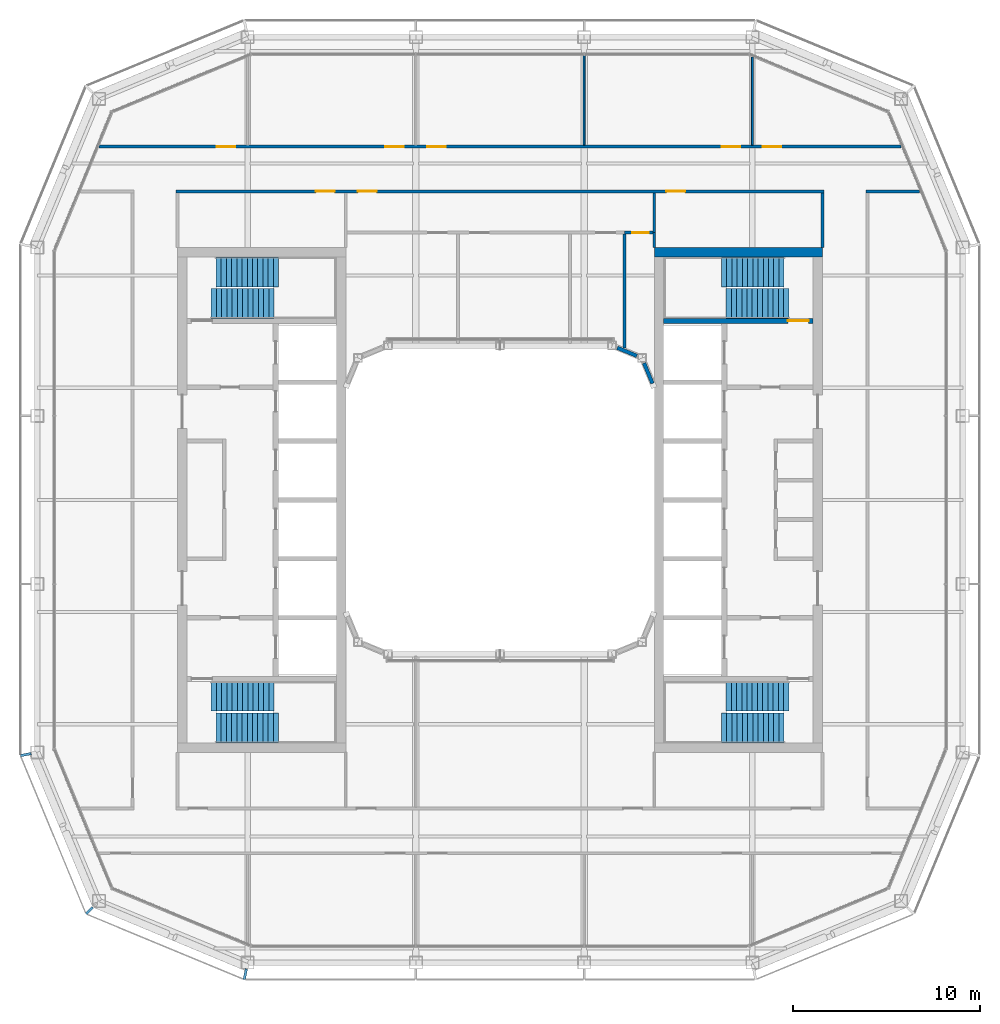
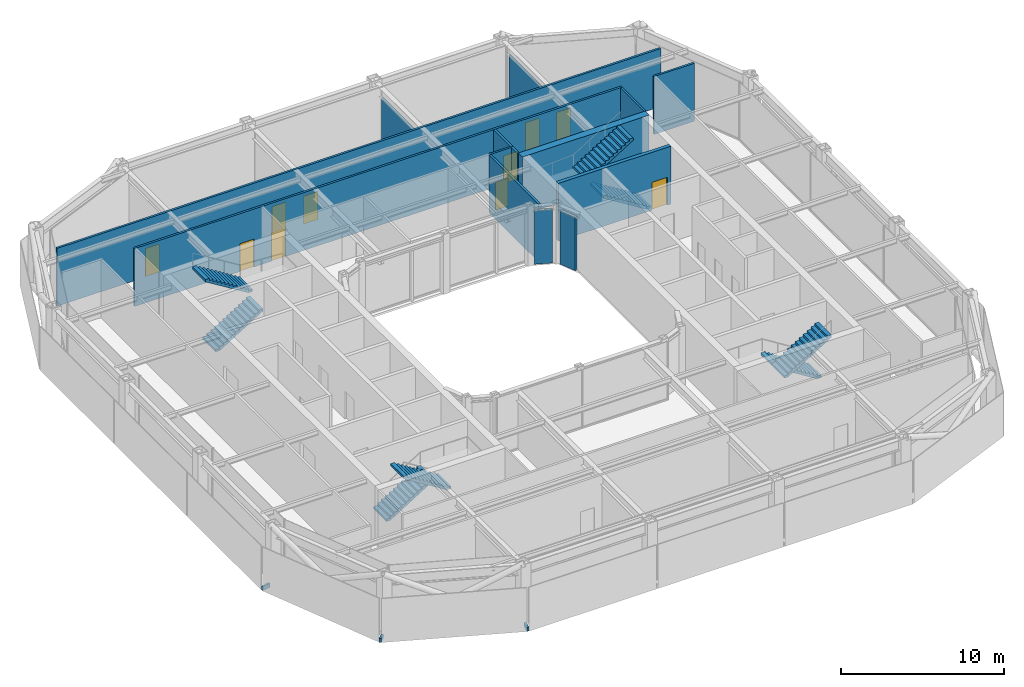
# One storey, part 13 of 18: 14 walls, 10 doors, 8 stair flights, 3 discrete accessories, 10 openings, 4 elements without a shape of their own.
"""IFC4 building model written with IfcOpenShell, lengths in metres."""

from ifc_helpers import new_model, si_unit, direction, frame, frame_2d, origin, origin_2d, place, context, subcontext, project, spatial, polyline, rectangle, outline, extrude, material, layer, layer_set, type_object, element, fill, aggregate, save


model = new_model("IFC4")

# Units and contexts
model_context = context("Model", 3, precision=1e-05, world=origin(), true_north=direction((0.0, 1.0)))
body_context = subcontext(model_context, "Body", "Model", "MODEL_VIEW")
ifc_project = project(units=[si_unit("LENGTHUNIT", "METRE"), si_unit("AREAUNIT", "SQUARE_METRE"), si_unit("VOLUMEUNIT", "CUBIC_METRE"), si_unit("PLANEANGLEUNIT", "RADIAN"), si_unit("MASSUNIT", "GRAM", prefix="KILO")], contexts=[model_context])

# Site, building, storey
site_placement = place(None, origin())
site = spatial("IfcSite", under=ifc_project, at=site_placement, CompositionType="ELEMENT")
building_placement = place(site_placement, origin())
building = spatial("IfcBuilding", under=site, at=building_placement, Name="Siwar Civic Tower", CompositionType="ELEMENT")
storey_placement = place(building_placement, frame((0.0, 0.0, 321.199951171875)))
storey = spatial("IfcBuildingStorey", under=building, at=storey_placement, Name="L69", CompositionType="ELEMENT", Elevation=321.199951171875)

# Wall, opening, door
ifc_material_1 = material(Name="Gypsum board on steel studs", Category="steel")
ifc_layer_1 = layer(ifc_material_1, 0.14990234375)
ifc_layer_set_1 = layer_set([ifc_layer_1], Name="Gypsum board on steel studs")
wall_type_1 = type_object("IfcWallType", Name="COMPARTMENT PARTITION 150 EI 60", PredefinedType="PARTITIONING", material=ifc_layer_set_1)
wall_1_placement = place(storey_placement, frame((6.659912109375, 14.300048828125, 0.0), z_axis=(0.0, 0.0, 1.0), x_axis=(1.0, 0.0, 0.0)))
wall_1 = element("IfcWall", 1, at=wall_1_placement, inside=storey, type_object=wall_type_1, Name="L69/wall/P06", PredefinedType="PARTITIONING", context=body_context, shape_type="SweptSolid", body=[
    extrude(rectangle(XDim=1.51513671875, YDim=0.14990234375, at=frame_2d((0.757568359375, 0.0))), origin(), (0.0, 0.0, 1.0), 4.35009765625),
])
opening_1_placement = place(wall_1_placement, frame((0.39990234375, 0.0, 0.0)))
opening_1 = element("IfcOpeningElement", 2, at=opening_1_placement, cuts=wall_1, Name="Opening D4", PredefinedType="OPENING", context=body_context, shape_type="SweptSolid", body=[
    extrude(rectangle(XDim=0.89990234375, YDim=2.10009765625, at=frame_2d((0.449951171875, 1.050048828125))), frame((0.0, 0.0849609375, 0.0), z_axis=(0.0, -1.0, 0.0), x_axis=(1.0, 0.0, 0.0)), (0.0, 0.0, 1.0), 0.169921875),
])
ifc_material_2 = material(Name="Timber, painted", Category="wood")
door_type_1 = type_object("IfcDoorType", Name="DOOR 900 X 2100 FD60", OperationType="SINGLE_SWING_LEFT", PredefinedType="DOOR", material=ifc_material_2)
door_1_placement = place(opening_1_placement, origin())
door_1 = element("IfcDoor", 3, at=door_1_placement, inside=storey, type_object=door_type_1, Name="L69-D15", OperationType="SINGLE_SWING_LEFT", OverallHeight=2.10009765625, OverallWidth=0.89990234375, PredefinedType="DOOR", context=body_context, shape_type="SweptSolid", body=[
    extrude(rectangle(XDim=0.89990234375, YDim=2.10009765625, at=frame_2d((0.449951171875, 1.050048828125))), frame((0.0, 0.02490234375, 0.0), z_axis=(0.0, -1.0, 0.0), x_axis=(1.0, 0.0, 0.0)), (0.0, 0.0, 1.0), 0.050048828125),
])
fill(opening_1, door_1)

# Walls
wall_2_placement = place(storey_placement, frame((6.659912109375, 8.126953125, 0.0), z_axis=(0.0, 0.0, 1.0), x_axis=(0.0, 1.0, 0.0)))
element("IfcWall", 4, at=wall_2_placement, inside=storey, type_object=wall_type_1, Name="L69/wall/P25", PredefinedType="PARTITIONING", context=body_context, shape_type="SweptSolid", body=[
    extrude(rectangle(XDim=6.09814453125, YDim=0.14990234375, at=frame_2d((3.049072265625, 0.0))), origin(), (0.0, 0.0, 1.0), 4.35009765625),
])
wall_3_placement = place(storey_placement, frame((8.25, 13.5, 0.0), z_axis=(0.0, 0.0, 1.0), x_axis=(0.0, 1.0, 0.0)))
element("IfcWall", 5, at=wall_3_placement, inside=storey, type_object=wall_type_1, Name="L69/wall/P28", PredefinedType="PARTITIONING", context=body_context, shape_type="SweptSolid", body=[
    extrude(rectangle(XDim=0.800048828125, YDim=0.14990234375, at=frame_2d((0.39990234375, 0.0))), origin(), (0.0, 0.0, 1.0), 4.35009765625),
])

# Wall, opening, door
ifc_material_3 = material(Name="Concrete C60/75", Category="concrete")
ifc_layer_2 = layer(ifc_material_3, 0.25)
ifc_layer_set_2 = layer_set([ifc_layer_2], Name="Concrete C60/75")
wall_type_2 = type_object("IfcWallType", Name="CORE-WALL-RC250", PredefinedType="SHEAR", material=ifc_layer_set_2)
wall_4_placement = place(storey_placement, frame((8.75, 9.574951171875, 0.0), z_axis=(0.0, 0.0, 1.0), x_axis=(1.0, 0.0, 0.0)))
wall_4 = element("IfcWall", 6, at=wall_4_placement, inside=storey, type_object=wall_type_2, Name="Core wall E", PredefinedType="SHEAR", context=body_context, shape_type="SweptSolid", body=[
    extrude(rectangle(XDim=8.0, YDim=0.25, at=frame_2d((4.0, 0.0))), origin(), (0.0, 0.0, 1.0), 4.35009765625),
])
opening_2_placement = place(wall_4_placement, frame((6.64990234375, 0.0, 0.0)))
opening_2 = element("IfcOpeningElement", 7, at=opening_2_placement, cuts=wall_4, Name="Opening L69-CE03", PredefinedType="OPENING", context=body_context, shape_type="SweptSolid", body=[
    extrude(rectangle(XDim=1.10009765625, YDim=2.10009765625, at=frame_2d((0.550048828125, 1.050048828125))), frame((0.0, 0.135009765625, 0.0), z_axis=(0.0, -1.0, 0.0), x_axis=(1.0, 0.0, 0.0)), (0.0, 0.0, 1.0), 0.27001953125),
])
ifc_material_4 = material(Name="Steel door leaf", Category="steel")
door_type_2 = type_object("IfcDoorType", Name="CORE-DOOR-FD60S", OperationType="SINGLE_SWING_LEFT", PredefinedType="DOOR", material=ifc_material_4)
door_2_placement = place(opening_2_placement, origin())
door_2 = element("IfcDoor", 8, at=door_2_placement, inside=storey, type_object=door_type_2, Name="Stair door L69-CE03", OperationType="SINGLE_SWING_LEFT", OverallHeight=2.10009765625, OverallWidth=1.10009765625, PredefinedType="DOOR", context=body_context, shape_type="SweptSolid", body=[
    extrude(rectangle(XDim=1.10009765625, YDim=2.10009765625, at=frame_2d((0.550048828125, 1.050048828125))), frame((0.0, 0.02490234375, 0.0), z_axis=(0.0, -1.0, 0.0), x_axis=(1.0, 0.0, 0.0)), (0.0, 0.0, 1.0), 0.050048828125),
])
fill(opening_2, door_2)

# Wall
ifc_material_5 = material(Name="Concrete C60/75", Category="concrete")
ifc_layer_3 = layer(ifc_material_5, 0.5)
ifc_layer_set_3 = layer_set([ifc_layer_3], Name="Concrete C60/75")
wall_type_3 = type_object("IfcWallType", Name="CORE-WALL-RC500", PredefinedType="SHEAR", material=ifc_layer_set_3)
wall_5_placement = place(storey_placement, frame((8.25, 13.25, 0.0), z_axis=(0.0, 0.0, 1.0), x_axis=(1.0, 0.0, 0.0)))
element("IfcWall", 9, at=wall_5_placement, inside=storey, type_object=wall_type_3, Name="Core wall E", PredefinedType="SHEAR", context=body_context, shape_type="SweptSolid", body=[
    extrude(rectangle(XDim=9.0, YDim=0.5, at=frame_2d((4.5, 0.0))), origin(), (0.0, 0.0, 1.0), 4.35009765625),
])

# Wall, openings, doors
ifc_material_6 = material(Name="Gypsum board on steel studs", Category="steel")
ifc_layer_4 = layer(ifc_material_6, 0.14990234375)
ifc_layer_set_4 = layer_set([ifc_layer_4], Name="Gypsum board on steel studs")
wall_type_4 = type_object("IfcWallType", Name="CORRIDOR PARTITION 150 EI 30", PredefinedType="PARTITIONING", material=ifc_layer_set_4)
wall_6_placement = place(storey_placement, frame((-17.324951171875, 16.5, 0.0), z_axis=(0.0, 0.0, 1.0), x_axis=(1.0, 0.0, 0.0)))
wall_6 = element("IfcWall", 10, at=wall_6_placement, inside=storey, type_object=wall_type_4, Name="L69/wall/P08", PredefinedType="PARTITIONING", context=body_context, shape_type="SweptSolid", body=[
    extrude(rectangle(XDim=34.64990234375, YDim=0.14990234375, at=frame_2d((17.324951171875, 0.0))), origin(), (0.0, 0.0, 1.0), 4.35009765625),
])
opening_3_placement = place(wall_6_placement, frame((9.72509765625, 0.0, 0.0)))
opening_3 = element("IfcOpeningElement", 11, at=opening_3_placement, cuts=wall_6, Name="Opening D1", PredefinedType="OPENING", context=body_context, shape_type="SweptSolid", body=[
    extrude(rectangle(XDim=1.0, YDim=2.10009765625, at=frame_2d((0.5, 1.050048828125))), frame((0.0, 0.0849609375, 0.0), z_axis=(0.0, -1.0, 0.0), x_axis=(1.0, 0.0, 0.0)), (0.0, 0.0, 1.0), 0.169921875),
])
opening_4_placement = place(wall_6_placement, frame((7.47509765625, 0.0, 0.0)))
opening_4 = element("IfcOpeningElement", 12, at=opening_4_placement, cuts=wall_6, Name="Opening D1", PredefinedType="OPENING", context=body_context, shape_type="SweptSolid", body=[
    extrude(rectangle(XDim=1.0, YDim=2.10009765625, at=frame_2d((0.5, 1.050048828125))), frame((0.0, 0.0849609375, 0.0), z_axis=(0.0, -1.0, 0.0), x_axis=(1.0, 0.0, 0.0)), (0.0, 0.0, 1.0), 0.169921875),
])
opening_5_placement = place(wall_6_placement, frame((26.22509765625, 0.0, 0.0)))
opening_5 = element("IfcOpeningElement", 13, at=opening_5_placement, cuts=wall_6, Name="Opening D1", PredefinedType="OPENING", context=body_context, shape_type="SweptSolid", body=[
    extrude(rectangle(XDim=1.0, YDim=2.10009765625, at=frame_2d((0.5, 1.050048828125))), frame((0.0, 0.0849609375, 0.0), z_axis=(0.0, -1.0, 0.0), x_axis=(1.0, 0.0, 0.0)), (0.0, 0.0, 1.0), 0.169921875),
])
ifc_material_7 = material(Name="Timber, painted", Category="wood")
door_type_3 = type_object("IfcDoorType", Name="DOOR 1000 X 2100 FD30", OperationType="SINGLE_SWING_LEFT", PredefinedType="DOOR", material=ifc_material_7)
door_3_placement = place(opening_3_placement, origin())
door_3 = element("IfcDoor", 14, at=door_3_placement, inside=storey, type_object=door_type_3, Name="L69-D11", OperationType="SINGLE_SWING_LEFT", OverallHeight=2.10009765625, OverallWidth=1.0, PredefinedType="DOOR", context=body_context, shape_type="SweptSolid", body=[
    extrude(rectangle(XDim=1.0, YDim=2.10009765625, at=frame_2d((0.5, 1.050048828125))), frame((0.0, 0.02490234375, 0.0), z_axis=(0.0, -1.0, 0.0), x_axis=(1.0, 0.0, 0.0)), (0.0, 0.0, 1.0), 0.050048828125),
])
fill(opening_3, door_3)
door_4_placement = place(opening_4_placement, origin())
door_4 = element("IfcDoor", 15, at=door_4_placement, inside=storey, type_object=door_type_3, Name="L69-D18", OperationType="SINGLE_SWING_RIGHT", OverallHeight=2.10009765625, OverallWidth=1.0, PredefinedType="DOOR", context=body_context, shape_type="SweptSolid", body=[
    extrude(rectangle(XDim=1.0, YDim=2.10009765625, at=frame_2d((0.5, 1.050048828125))), frame((0.0, 0.02490234375, 0.0), z_axis=(0.0, -1.0, 0.0), x_axis=(1.0, 0.0, 0.0)), (0.0, 0.0, 1.0), 0.050048828125),
])
fill(opening_4, door_4)
door_5_placement = place(opening_5_placement, origin())
door_5 = element("IfcDoor", 16, at=door_5_placement, inside=storey, type_object=door_type_3, Name="L69-D19", OperationType="SINGLE_SWING_LEFT", OverallHeight=2.10009765625, OverallWidth=1.0, PredefinedType="DOOR", context=body_context, shape_type="SweptSolid", body=[
    extrude(rectangle(XDim=1.0, YDim=2.10009765625, at=frame_2d((0.5, 1.050048828125))), frame((0.0, 0.02490234375, 0.0), z_axis=(0.0, -1.0, 0.0), x_axis=(1.0, 0.0, 0.0)), (0.0, 0.0, 1.0), 0.050048828125),
])
fill(opening_5, door_5)

# Wall
wall_7_placement = place(storey_placement, frame((19.574951171875, 16.5, 0.0), z_axis=(0.0, 0.0, 1.0), x_axis=(1.0, 0.0, 0.0)))
element("IfcWall", 17, at=wall_7_placement, inside=storey, type_object=wall_type_4, Name="L69/wall/P09", PredefinedType="PARTITIONING", context=body_context, shape_type="SweptSolid", body=[
    extrude(rectangle(XDim=2.861083984375, YDim=0.14990234375, at=frame_2d((1.4306640625, 0.0))), origin(), (0.0, 0.0, 1.0), 4.35009765625),
])

# Wall, openings, doors
wall_8_placement = place(storey_placement, frame((-21.44091796875, 18.89990234375, 0.0), z_axis=(0.0, 0.0, 1.0), x_axis=(1.0, 0.0, 0.0)))
wall_8 = element("IfcWall", 18, at=wall_8_placement, inside=storey, type_object=wall_type_4, Name="L69/wall/P10", PredefinedType="PARTITIONING", context=body_context, shape_type="SweptSolid", body=[
    extrude(rectangle(XDim=42.8818359375, YDim=0.14990234375, at=frame_2d((21.44091796875, 0.0))), origin(), (0.0, 0.0, 1.0), 4.35009765625),
])
opening_6_placement = place(wall_8_placement, frame((15.291015625, 0.0, 0.0)))
opening_6 = element("IfcOpeningElement", 19, at=opening_6_placement, cuts=wall_8, Name="Opening D1", PredefinedType="OPENING", context=body_context, shape_type="SweptSolid", body=[
    extrude(rectangle(XDim=1.0, YDim=2.10009765625, at=frame_2d((0.5, 1.050048828125))), frame((0.0, 0.0849609375, 0.0), z_axis=(0.0, -1.0, 0.0), x_axis=(1.0, 0.0, 0.0)), (0.0, 0.0, 1.0), 0.169921875),
])
opening_7_placement = place(wall_8_placement, frame((17.541015625, 0.0, 0.0)))
opening_7 = element("IfcOpeningElement", 20, at=opening_7_placement, cuts=wall_8, Name="Opening D1", PredefinedType="OPENING", context=body_context, shape_type="SweptSolid", body=[
    extrude(rectangle(XDim=1.0, YDim=2.10009765625, at=frame_2d((0.5, 1.050048828125))), frame((0.0, 0.0849609375, 0.0), z_axis=(0.0, -1.0, 0.0), x_axis=(1.0, 0.0, 0.0)), (0.0, 0.0, 1.0), 0.169921875),
])
opening_8_placement = place(wall_8_placement, frame((33.291015625, 0.0, 0.0)))
opening_8 = element("IfcOpeningElement", 21, at=opening_8_placement, cuts=wall_8, Name="Opening D1", PredefinedType="OPENING", context=body_context, shape_type="SweptSolid", body=[
    extrude(rectangle(XDim=1.0, YDim=2.10009765625, at=frame_2d((0.5, 1.050048828125))), frame((0.0, 0.0849609375, 0.0), z_axis=(0.0, -1.0, 0.0), x_axis=(1.0, 0.0, 0.0)), (0.0, 0.0, 1.0), 0.169921875),
])
opening_9_placement = place(wall_8_placement, frame((6.291015625, 0.0, 0.0)))
opening_9 = element("IfcOpeningElement", 22, at=opening_9_placement, cuts=wall_8, Name="Opening D1", PredefinedType="OPENING", context=body_context, shape_type="SweptSolid", body=[
    extrude(rectangle(XDim=1.0, YDim=2.10009765625, at=frame_2d((0.5, 1.050048828125))), frame((0.0, 0.0849609375, 0.0), z_axis=(0.0, -1.0, 0.0), x_axis=(1.0, 0.0, 0.0)), (0.0, 0.0, 1.0), 0.169921875),
])
opening_10_placement = place(wall_8_placement, frame((35.48193359375, 0.0, 0.0)))
opening_10 = element("IfcOpeningElement", 23, at=opening_10_placement, cuts=wall_8, Name="Opening D1", PredefinedType="OPENING", context=body_context, shape_type="SweptSolid", body=[
    extrude(rectangle(XDim=1.0, YDim=2.10009765625, at=frame_2d((0.5, 1.050048828125))), frame((0.0, 0.0849609375, 0.0), z_axis=(0.0, -1.0, 0.0), x_axis=(1.0, 0.0, 0.0)), (0.0, 0.0, 1.0), 0.169921875),
])
door_6_placement = place(opening_6_placement, origin())
door_6 = element("IfcDoor", 24, at=door_6_placement, inside=storey, type_object=door_type_3, Name="L69-D01", OperationType="SINGLE_SWING_LEFT", OverallHeight=2.10009765625, OverallWidth=1.0, PredefinedType="DOOR", context=body_context, shape_type="SweptSolid", body=[
    extrude(rectangle(XDim=1.0, YDim=2.10009765625, at=frame_2d((0.5, 1.050048828125))), frame((0.0, 0.02490234375, 0.0), z_axis=(0.0, -1.0, 0.0), x_axis=(1.0, 0.0, 0.0)), (0.0, 0.0, 1.0), 0.050048828125),
])
fill(opening_6, door_6)
door_7_placement = place(opening_7_placement, origin())
door_7 = element("IfcDoor", 25, at=door_7_placement, inside=storey, type_object=door_type_3, Name="L69-D02", OperationType="SINGLE_SWING_RIGHT", OverallHeight=2.10009765625, OverallWidth=1.0, PredefinedType="DOOR", context=body_context, shape_type="SweptSolid", body=[
    extrude(rectangle(XDim=1.0, YDim=2.10009765625, at=frame_2d((0.5, 1.050048828125))), frame((0.0, 0.02490234375, 0.0), z_axis=(0.0, -1.0, 0.0), x_axis=(1.0, 0.0, 0.0)), (0.0, 0.0, 1.0), 0.050048828125),
])
fill(opening_7, door_7)
door_8_placement = place(opening_8_placement, origin())
door_8 = element("IfcDoor", 26, at=door_8_placement, inside=storey, type_object=door_type_3, Name="L69-D03", OperationType="SINGLE_SWING_LEFT", OverallHeight=2.10009765625, OverallWidth=1.0, PredefinedType="DOOR", context=body_context, shape_type="SweptSolid", body=[
    extrude(rectangle(XDim=1.0, YDim=2.10009765625, at=frame_2d((0.5, 1.050048828125))), frame((0.0, 0.02490234375, 0.0), z_axis=(0.0, -1.0, 0.0), x_axis=(1.0, 0.0, 0.0)), (0.0, 0.0, 1.0), 0.050048828125),
])
fill(opening_8, door_8)
door_9_placement = place(opening_9_placement, origin())
door_9 = element("IfcDoor", 27, at=door_9_placement, inside=storey, type_object=door_type_3, Name="L69-D07", OperationType="SINGLE_SWING_LEFT", OverallHeight=2.10009765625, OverallWidth=1.0, PredefinedType="DOOR", context=body_context, shape_type="SweptSolid", body=[
    extrude(rectangle(XDim=1.0, YDim=2.10009765625, at=frame_2d((0.5, 1.050048828125))), frame((0.0, 0.02490234375, 0.0), z_axis=(0.0, -1.0, 0.0), x_axis=(1.0, 0.0, 0.0)), (0.0, 0.0, 1.0), 0.050048828125),
])
fill(opening_9, door_9)
door_10_placement = place(opening_10_placement, origin())
door_10 = element("IfcDoor", 28, at=door_10_placement, inside=storey, type_object=door_type_3, Name="L69-D08", OperationType="SINGLE_SWING_RIGHT", OverallHeight=2.10009765625, OverallWidth=1.0, PredefinedType="DOOR", context=body_context, shape_type="SweptSolid", body=[
    extrude(rectangle(XDim=1.0, YDim=2.10009765625, at=frame_2d((0.5, 1.050048828125))), frame((0.0, 0.02490234375, 0.0), z_axis=(0.0, -1.0, 0.0), x_axis=(1.0, 0.0, 0.0)), (0.0, 0.0, 1.0), 0.050048828125),
])
fill(opening_10, door_10)

# Walls
wall_9_placement = place(storey_placement, frame((8.25, 14.300048828125, 0.0), z_axis=(0.0, 0.0, 1.0), x_axis=(0.0, 1.0, 0.0)))
element("IfcWall", 29, at=wall_9_placement, inside=storey, type_object=wall_type_4, Name="L69/wall/P27", PredefinedType="PARTITIONING", context=body_context, shape_type="SweptSolid", body=[
    extrude(rectangle(XDim=2.125, YDim=0.14990234375, at=frame_2d((1.0625, 0.0))), origin(), (0.0, 0.0, 1.0), 4.35009765625),
])
wall_10_placement = place(storey_placement, frame((17.25, 13.5, 0.0), z_axis=(0.0, 0.0, 1.0), x_axis=(0.0, 1.0, 0.0)))
element("IfcWall", 30, at=wall_10_placement, inside=storey, type_object=wall_type_4, Name="L69/wall/P32", PredefinedType="PARTITIONING", context=body_context, shape_type="SweptSolid", body=[
    extrude(rectangle(XDim=2.925048828125, YDim=0.14990234375, at=frame_2d((1.46240234375, 0.0))), origin(), (0.0, 0.0, 1.0), 4.35009765625),
])
ifc_material_8 = material(Name="Aluminium clad insulated panel", Category="aluminium")
ifc_layer_5 = layer(ifc_material_8, 0.199951171875)
ifc_layer_set_5 = layer_set([ifc_layer_5], Name="Aluminium clad insulated panel")
wall_type_5 = type_object("IfcWallType", Name="ENV-WALL-WELL", PredefinedType="STANDARD", material=ifc_layer_set_5)
wall_11_placement = place(storey_placement, frame((8.154296875, 6.23095703125, 0.0), z_axis=(0.0, 0.0, 1.0), x_axis=(-0.382760542083, 0.92384758885, 0.0)))
element("IfcWall", 31, at=wall_11_placement, inside=storey, type_object=wall_type_5, Name="Light well corner wall NE1", PredefinedType="STANDARD", context=body_context, shape_type="SweptSolid", body=[
    extrude(rectangle(XDim=1.177978515625, YDim=0.199951171875, at=frame_2d((0.5888671875, 0.0))), origin(), (0.0, 0.0, 1.0), 4.010009765625),
])
wall_12_placement = place(storey_placement, frame((7.3193359375, 7.703369140625, 0.0), z_axis=(0.0, 0.0, 1.0), x_axis=(-0.923864661962, 0.382719331074, 0.0)))
element("IfcWall", 32, at=wall_12_placement, inside=storey, type_object=wall_type_5, Name="Light well corner wall NE2", PredefinedType="STANDARD", context=body_context, shape_type="SweptSolid", body=[
    extrude(rectangle(XDim=1.13427734375, YDim=0.199951171875, at=frame_2d((0.567138671875, 0.0))), origin(), (0.0, 0.0, 1.0), 4.010009765625),
])
ifc_material_9 = material(Name="Gypsum board on steel studs", Category="steel")
ifc_layer_6 = layer(ifc_material_9, 0.10009765625)
ifc_layer_set_6 = layer_set([ifc_layer_6], Name="Gypsum board on steel studs")
wall_type_6 = type_object("IfcWallType", Name="PARTITION 100 GYPSUM", PredefinedType="PARTITIONING", material=ifc_layer_set_6)
wall_13_placement = place(storey_placement, frame((4.5, 18.97509765625, 0.0), z_axis=(0.0, 0.0, 1.0), x_axis=(0.0, 1.0, 0.0)))
element("IfcWall", 33, at=wall_13_placement, inside=storey, type_object=wall_type_6, Name="L69/wall/P24", PredefinedType="PARTITIONING", context=body_context, shape_type="SweptSolid", body=[
    extrude(rectangle(XDim=4.784912109375, YDim=0.10009765625, at=frame_2d((2.392578125, 0.0))), origin(), (0.0, 0.0, 1.0), 3.650146484375),
])
wall_14_placement = place(storey_placement, frame((13.5, 18.97509765625, 0.0), z_axis=(0.0, 0.0, 1.0), x_axis=(0.0, 1.0, 0.0)))
element("IfcWall", 34, at=wall_14_placement, inside=storey, type_object=wall_type_6, Name="L69/wall/P30", PredefinedType="PARTITIONING", context=body_context, shape_type="SweptSolid", body=[
    extrude(rectangle(XDim=4.702880859375, YDim=0.10009765625, at=frame_2d((2.3515625, 0.0))), origin(), (0.0, 0.0, 1.0), 3.75),
])

# Stair, stair flights
ifc_material_10 = material(Name="Concrete C40/50", Category="concrete")
stair_type = type_object("IfcStairType", Name="CORE-STAIR", PredefinedType="TWO_STRAIGHT_RUN_STAIR", material=ifc_material_10)
stair_1_placement = place(storey_placement, origin())
stair_1 = element("IfcStair", 35, at=stair_1_placement, inside=storey, type_object=stair_type, Name="Exit stair ST1", PredefinedType="TWO_STRAIGHT_RUN_STAIR")
ifc_material_11 = material(Name="Concrete C40/50", Category="concrete")
stair_flight_type = type_object("IfcStairFlightType", Name="CORE-STAIR-FLIGHT", PredefinedType="STRAIGHT", material=ifc_material_11)
stair_flight_1_placement = place(storey_placement, frame((-15.449951171875, 10.5, 0.0), z_axis=(0.0, 0.0, 1.0), x_axis=(1.0, 0.0, 0.0)))
stair_flight_1 = element("IfcStairFlight", 36, at=stair_flight_1_placement, type_object=stair_flight_type, Name="ST1 flight 1", NumberOfRisers=13, NumberOfTreads=12, PredefinedType="STRAIGHT", RiserHeight=0.173076923, TreadLength=0.28, context=body_context, shape_type="SweptSolid", body=[
    extrude(outline(polyline([(0.0, 0.0), (0.0, 0.173095703125), (0.280029296875, 0.173095703125), (0.280029296875, 0.34619140625), (0.56005859375, 0.34619140625), (0.56005859375, 0.519287109375), (0.840087890625, 0.519287109375), (0.840087890625, 0.6923828125), (1.1201171875, 0.6923828125), (1.1201171875, 0.865478515625), (1.39990234375, 0.865478515625), (1.39990234375, 1.03857421875), (1.679931640625, 1.03857421875), (1.679931640625, 1.21142578125), (1.9599609375, 1.21142578125), (1.9599609375, 1.384521484375), (2.239990234375, 1.384521484375), (2.239990234375, 1.5576171875), (2.52001953125, 1.5576171875), (2.52001953125, 1.730712890625), (2.800048828125, 1.730712890625), (2.800048828125, 1.90380859375), (3.080078125, 1.90380859375), (3.080078125, 2.076904296875), (3.360107421875, 2.076904296875), (3.360107421875, 2.25), (3.360107421875, 1.900634765625), (0.28515625, 0.0), (0.0, 0.0)])), frame((0.0, 0.800048828125, 0.0), z_axis=(0.0, -1.0, 0.0), x_axis=(1.0, 0.0, 0.0)), (0.0, 0.0, 1.0), 1.60009765625),
])
stair_flight_2_placement = place(storey_placement, frame((-11.840087890625, 12.199951171875, 2.25), z_axis=(0.0, 0.0, 1.0), x_axis=(-1.0, 0.0, 0.0)))
stair_flight_2 = element("IfcStairFlight", 37, at=stair_flight_2_placement, type_object=stair_flight_type, Name="ST1 flight 2", NumberOfRisers=13, NumberOfTreads=12, PredefinedType="STRAIGHT", RiserHeight=0.173076923, TreadLength=0.28, context=body_context, shape_type="SweptSolid", body=[
    extrude(outline(polyline([(0.0, 0.0), (0.0, 0.173095703125), (0.280029296875, 0.173095703125), (0.280029296875, 0.34619140625), (0.56005859375, 0.34619140625), (0.56005859375, 0.519287109375), (0.840087890625, 0.519287109375), (0.840087890625, 0.6923828125), (1.1201171875, 0.6923828125), (1.1201171875, 0.865478515625), (1.39990234375, 0.865478515625), (1.39990234375, 1.03857421875), (1.679931640625, 1.03857421875), (1.679931640625, 1.21142578125), (1.9599609375, 1.21142578125), (1.9599609375, 1.384521484375), (2.239990234375, 1.384521484375), (2.239990234375, 1.5576171875), (2.52001953125, 1.5576171875), (2.52001953125, 1.730712890625), (2.800048828125, 1.730712890625), (2.800048828125, 1.90380859375), (3.080078125, 1.90380859375), (3.080078125, 2.076904296875), (3.360107421875, 2.076904296875), (3.360107421875, 2.25), (3.360107421875, 1.900634765625), (0.28515625, 0.0), (0.0, 0.0)])), frame((0.0, 0.800048828125, 0.0), z_axis=(0.0, -1.0, 0.0), x_axis=(1.0, 0.0, 0.0)), (0.0, 0.0, 1.0), 1.60009765625),
])
aggregate(stair_1, [stair_flight_1, stair_flight_2])

stair_2_placement = place(storey_placement, origin())
stair_2 = element("IfcStair", 38, at=stair_2_placement, inside=storey, type_object=stair_type, Name="Exit stair ST2", PredefinedType="TWO_STRAIGHT_RUN_STAIR")
stair_flight_3_placement = place(storey_placement, frame((-15.449951171875, -10.5, 0.0), z_axis=(0.0, 0.0, 1.0), x_axis=(1.0, 0.0, 0.0)))
stair_flight_3 = element("IfcStairFlight", 39, at=stair_flight_3_placement, type_object=stair_flight_type, Name="ST2 flight 1", NumberOfRisers=13, NumberOfTreads=12, PredefinedType="STRAIGHT", RiserHeight=0.173076923, TreadLength=0.28, context=body_context, shape_type="SweptSolid", body=[
    extrude(outline(polyline([(0.0, 0.0), (0.0, 0.173095703125), (0.280029296875, 0.173095703125), (0.280029296875, 0.34619140625), (0.56005859375, 0.34619140625), (0.56005859375, 0.519287109375), (0.840087890625, 0.519287109375), (0.840087890625, 0.6923828125), (1.1201171875, 0.6923828125), (1.1201171875, 0.865478515625), (1.39990234375, 0.865478515625), (1.39990234375, 1.03857421875), (1.679931640625, 1.03857421875), (1.679931640625, 1.21142578125), (1.9599609375, 1.21142578125), (1.9599609375, 1.384521484375), (2.239990234375, 1.384521484375), (2.239990234375, 1.5576171875), (2.52001953125, 1.5576171875), (2.52001953125, 1.730712890625), (2.800048828125, 1.730712890625), (2.800048828125, 1.90380859375), (3.080078125, 1.90380859375), (3.080078125, 2.076904296875), (3.360107421875, 2.076904296875), (3.360107421875, 2.25), (3.360107421875, 1.900634765625), (0.28515625, 0.0), (0.0, 0.0)])), frame((0.0, 0.800048828125, 0.0), z_axis=(0.0, -1.0, 0.0), x_axis=(1.0, 0.0, 0.0)), (0.0, 0.0, 1.0), 1.60009765625),
])
stair_flight_4_placement = place(storey_placement, frame((-11.840087890625, -12.199951171875, 2.25), z_axis=(0.0, 0.0, 1.0), x_axis=(-1.0, 0.0, 0.0)))
stair_flight_4 = element("IfcStairFlight", 40, at=stair_flight_4_placement, type_object=stair_flight_type, Name="ST2 flight 2", NumberOfRisers=13, NumberOfTreads=12, PredefinedType="STRAIGHT", RiserHeight=0.173076923, TreadLength=0.28, context=body_context, shape_type="SweptSolid", body=[
    extrude(outline(polyline([(0.0, 0.0), (0.0, 0.173095703125), (0.280029296875, 0.173095703125), (0.280029296875, 0.34619140625), (0.56005859375, 0.34619140625), (0.56005859375, 0.519287109375), (0.840087890625, 0.519287109375), (0.840087890625, 0.6923828125), (1.1201171875, 0.6923828125), (1.1201171875, 0.865478515625), (1.39990234375, 0.865478515625), (1.39990234375, 1.03857421875), (1.679931640625, 1.03857421875), (1.679931640625, 1.21142578125), (1.9599609375, 1.21142578125), (1.9599609375, 1.384521484375), (2.239990234375, 1.384521484375), (2.239990234375, 1.5576171875), (2.52001953125, 1.5576171875), (2.52001953125, 1.730712890625), (2.800048828125, 1.730712890625), (2.800048828125, 1.90380859375), (3.080078125, 1.90380859375), (3.080078125, 2.076904296875), (3.360107421875, 2.076904296875), (3.360107421875, 2.25), (3.360107421875, 1.900634765625), (0.28515625, 0.0), (0.0, 0.0)])), frame((0.0, 0.800048828125, 0.0), z_axis=(0.0, -1.0, 0.0), x_axis=(1.0, 0.0, 0.0)), (0.0, 0.0, 1.0), 1.60009765625),
])
aggregate(stair_2, [stair_flight_3, stair_flight_4])

stair_3_placement = place(storey_placement, origin())
stair_3 = element("IfcStair", 41, at=stair_3_placement, inside=storey, type_object=stair_type, Name="Exit stair ST3", PredefinedType="TWO_STRAIGHT_RUN_STAIR")
stair_flight_5_placement = place(storey_placement, frame((15.449951171875, 10.5, 0.0), z_axis=(0.0, 0.0, 1.0), x_axis=(-1.0, 0.0, 0.0)))
stair_flight_5 = element("IfcStairFlight", 42, at=stair_flight_5_placement, type_object=stair_flight_type, Name="ST3 flight 1", NumberOfRisers=13, NumberOfTreads=12, PredefinedType="STRAIGHT", RiserHeight=0.173076923, TreadLength=0.28, context=body_context, shape_type="SweptSolid", body=[
    extrude(outline(polyline([(0.0, 0.0), (0.0, 0.173095703125), (0.280029296875, 0.173095703125), (0.280029296875, 0.34619140625), (0.56005859375, 0.34619140625), (0.56005859375, 0.519287109375), (0.840087890625, 0.519287109375), (0.840087890625, 0.6923828125), (1.1201171875, 0.6923828125), (1.1201171875, 0.865478515625), (1.39990234375, 0.865478515625), (1.39990234375, 1.03857421875), (1.679931640625, 1.03857421875), (1.679931640625, 1.21142578125), (1.9599609375, 1.21142578125), (1.9599609375, 1.384521484375), (2.239990234375, 1.384521484375), (2.239990234375, 1.5576171875), (2.52001953125, 1.5576171875), (2.52001953125, 1.730712890625), (2.800048828125, 1.730712890625), (2.800048828125, 1.90380859375), (3.080078125, 1.90380859375), (3.080078125, 2.076904296875), (3.360107421875, 2.076904296875), (3.360107421875, 2.25), (3.360107421875, 1.900634765625), (0.28515625, 0.0), (0.0, 0.0)])), frame((0.0, 0.800048828125, 0.0), z_axis=(0.0, -1.0, 0.0), x_axis=(1.0, 0.0, 0.0)), (0.0, 0.0, 1.0), 1.60009765625),
])
stair_flight_6_placement = place(storey_placement, frame((11.840087890625, 12.199951171875, 2.25), z_axis=(0.0, 0.0, 1.0), x_axis=(1.0, 0.0, 0.0)))
stair_flight_6 = element("IfcStairFlight", 43, at=stair_flight_6_placement, type_object=stair_flight_type, Name="ST3 flight 2", NumberOfRisers=13, NumberOfTreads=12, PredefinedType="STRAIGHT", RiserHeight=0.173076923, TreadLength=0.28, context=body_context, shape_type="SweptSolid", body=[
    extrude(outline(polyline([(0.0, 0.0), (0.0, 0.173095703125), (0.280029296875, 0.173095703125), (0.280029296875, 0.34619140625), (0.56005859375, 0.34619140625), (0.56005859375, 0.519287109375), (0.840087890625, 0.519287109375), (0.840087890625, 0.6923828125), (1.1201171875, 0.6923828125), (1.1201171875, 0.865478515625), (1.39990234375, 0.865478515625), (1.39990234375, 1.03857421875), (1.679931640625, 1.03857421875), (1.679931640625, 1.21142578125), (1.9599609375, 1.21142578125), (1.9599609375, 1.384521484375), (2.239990234375, 1.384521484375), (2.239990234375, 1.5576171875), (2.52001953125, 1.5576171875), (2.52001953125, 1.730712890625), (2.800048828125, 1.730712890625), (2.800048828125, 1.90380859375), (3.080078125, 1.90380859375), (3.080078125, 2.076904296875), (3.360107421875, 2.076904296875), (3.360107421875, 2.25), (3.360107421875, 1.900634765625), (0.28515625, 0.0), (0.0, 0.0)])), frame((0.0, 0.800048828125, 0.0), z_axis=(0.0, -1.0, 0.0), x_axis=(1.0, 0.0, 0.0)), (0.0, 0.0, 1.0), 1.60009765625),
])
aggregate(stair_3, [stair_flight_5, stair_flight_6])

stair_4_placement = place(storey_placement, origin())
stair_4 = element("IfcStair", 44, at=stair_4_placement, inside=storey, type_object=stair_type, Name="Exit stair ST4", PredefinedType="TWO_STRAIGHT_RUN_STAIR")
stair_flight_7_placement = place(storey_placement, frame((15.449951171875, -10.5, 0.0), z_axis=(0.0, 0.0, 1.0), x_axis=(-1.0, 0.0, 0.0)))
stair_flight_7 = element("IfcStairFlight", 45, at=stair_flight_7_placement, type_object=stair_flight_type, Name="ST4 flight 1", NumberOfRisers=13, NumberOfTreads=12, PredefinedType="STRAIGHT", RiserHeight=0.173076923, TreadLength=0.28, context=body_context, shape_type="SweptSolid", body=[
    extrude(outline(polyline([(0.0, 0.0), (0.0, 0.173095703125), (0.280029296875, 0.173095703125), (0.280029296875, 0.34619140625), (0.56005859375, 0.34619140625), (0.56005859375, 0.519287109375), (0.840087890625, 0.519287109375), (0.840087890625, 0.6923828125), (1.1201171875, 0.6923828125), (1.1201171875, 0.865478515625), (1.39990234375, 0.865478515625), (1.39990234375, 1.03857421875), (1.679931640625, 1.03857421875), (1.679931640625, 1.21142578125), (1.9599609375, 1.21142578125), (1.9599609375, 1.384521484375), (2.239990234375, 1.384521484375), (2.239990234375, 1.5576171875), (2.52001953125, 1.5576171875), (2.52001953125, 1.730712890625), (2.800048828125, 1.730712890625), (2.800048828125, 1.90380859375), (3.080078125, 1.90380859375), (3.080078125, 2.076904296875), (3.360107421875, 2.076904296875), (3.360107421875, 2.25), (3.360107421875, 1.900634765625), (0.28515625, 0.0), (0.0, 0.0)])), frame((0.0, 0.800048828125, 0.0), z_axis=(0.0, -1.0, 0.0), x_axis=(1.0, 0.0, 0.0)), (0.0, 0.0, 1.0), 1.60009765625),
])
stair_flight_8_placement = place(storey_placement, frame((11.840087890625, -12.199951171875, 2.25), z_axis=(0.0, 0.0, 1.0), x_axis=(1.0, 0.0, 0.0)))
stair_flight_8 = element("IfcStairFlight", 46, at=stair_flight_8_placement, type_object=stair_flight_type, Name="ST4 flight 2", NumberOfRisers=13, NumberOfTreads=12, PredefinedType="STRAIGHT", RiserHeight=0.173076923, TreadLength=0.28, context=body_context, shape_type="SweptSolid", body=[
    extrude(outline(polyline([(0.0, 0.0), (0.0, 0.173095703125), (0.280029296875, 0.173095703125), (0.280029296875, 0.34619140625), (0.56005859375, 0.34619140625), (0.56005859375, 0.519287109375), (0.840087890625, 0.519287109375), (0.840087890625, 0.6923828125), (1.1201171875, 0.6923828125), (1.1201171875, 0.865478515625), (1.39990234375, 0.865478515625), (1.39990234375, 1.03857421875), (1.679931640625, 1.03857421875), (1.679931640625, 1.21142578125), (1.9599609375, 1.21142578125), (1.9599609375, 1.384521484375), (2.239990234375, 1.384521484375), (2.239990234375, 1.5576171875), (2.52001953125, 1.5576171875), (2.52001953125, 1.730712890625), (2.800048828125, 1.730712890625), (2.800048828125, 1.90380859375), (3.080078125, 1.90380859375), (3.080078125, 2.076904296875), (3.360107421875, 2.076904296875), (3.360107421875, 2.25), (3.360107421875, 1.900634765625), (0.28515625, 0.0), (0.0, 0.0)])), frame((0.0, 0.800048828125, 0.0), z_axis=(0.0, -1.0, 0.0), x_axis=(1.0, 0.0, 0.0)), (0.0, 0.0, 1.0), 1.60009765625),
])
aggregate(stair_4, [stair_flight_7, stair_flight_8])

# Discrete accessories
ifc_material_12 = material(Name="Stainless steel 316", Category="steel")
discrete_accessory_type = type_object("IfcDiscreteAccessoryType", Name="ENV-BRACKET", PredefinedType="BRACKET", material=ifc_material_12)
for number, where, z_axis, x_axis, name in (
    (47, (-13.622314453125, -25.365234375, -0.14990234375), (0.0, 0.0, 1.0), (-0.195090322016, -0.980785280403, 0.0), "Bracket outer skin joint V00"),
    (48, (-25.365234375, -13.622314453125, -0.14990234375), (0.0, 0.0, 1.0), (-0.980785280403, -0.195090322016, 0.0), "Bracket outer skin joint V10"),
):
    element("IfcDiscreteAccessory", number, at=place(storey_placement, frame(where, z_axis=z_axis, x_axis=x_axis)), inside=storey, type_object=discrete_accessory_type, Name=name, PredefinedType="BRACKET", context=body_context, shape_type="SweptSolid", body=[
        extrude(rectangle(XDim=0.580810546875, YDim=0.13720703125, at=origin_2d()), origin(), (0.0, 0.0, 1.0), 0.300048828125),
    ])
discrete_accessory_placement = place(storey_placement, frame((-21.96728515625, -21.96728515625, -0.14990234375), z_axis=(0.0, 0.0, 1.0), x_axis=(-0.707106781187, -0.707106781187, 0.0)))
element("IfcDiscreteAccessory", 49, at=discrete_accessory_placement, inside=storey, type_object=discrete_accessory_type, Name="Bracket outer skin joint V11", PredefinedType="BRACKET", context=body_context, shape_type="SweptSolid", body=[
    extrude(rectangle(XDim=0.499267578125, YDim=0.12939453125, at=origin_2d()), origin(), (0.0, 0.0, 1.0), 0.300048828125),
])

save(model, "model.ifc")
